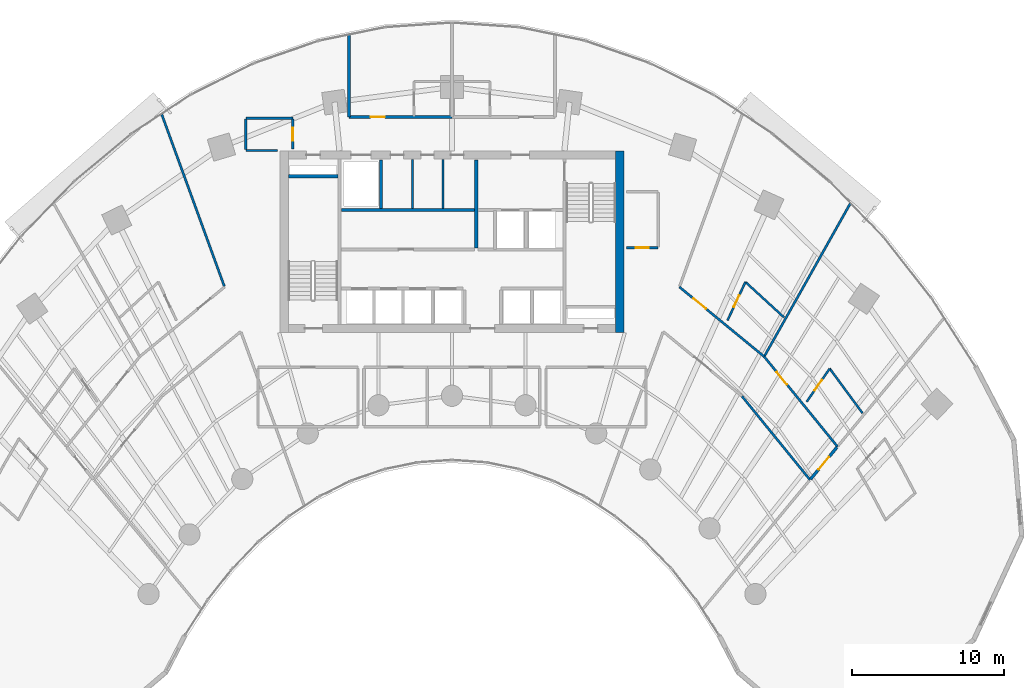
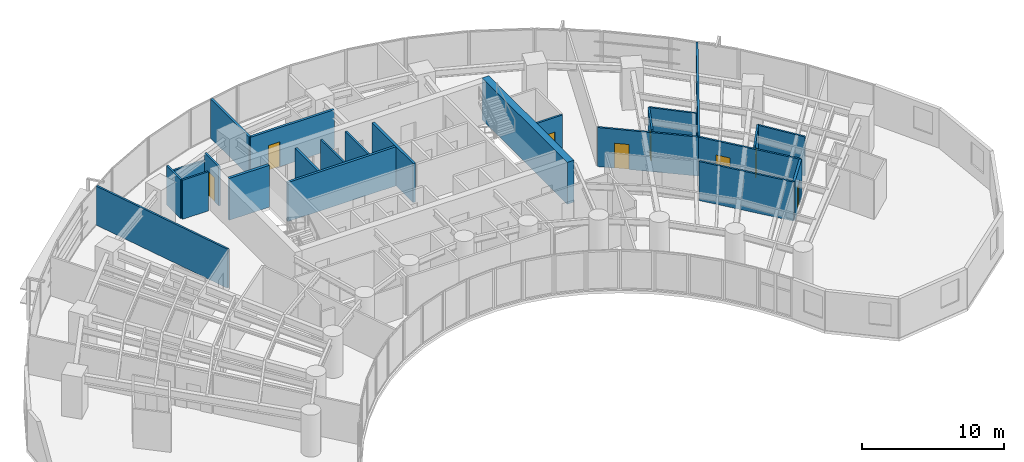
# One storey, part 13 of 17: 24 walls, 8 doors, 8 openings.
"""IFC4 building model written with IfcOpenShell, lengths in metres."""

from ifc_helpers import new_model, si_unit, direction, frame, frame_2d, origin, place, context, subcontext, project, spatial, rectangle, extrude, source, transform, mapped, material, layer, layer_set, type_object, type_shapes, element, fill, save


model = new_model("IFC4")

# Units and contexts
model_context = context("Model", 3, precision=1e-05, world=origin(), true_north=direction((0.0, 1.0)))
body_context = subcontext(model_context, "Body", "Model", "MODEL_VIEW")
ifc_project = project(units=[si_unit("LENGTHUNIT", "METRE"), si_unit("AREAUNIT", "SQUARE_METRE"), si_unit("VOLUMEUNIT", "CUBIC_METRE"), si_unit("PLANEANGLEUNIT", "RADIAN"), si_unit("MASSUNIT", "GRAM", prefix="KILO")], contexts=[model_context])

# Site, building, storey
site_placement = place(None, origin())
site = spatial("IfcSite", under=ifc_project, at=site_placement, CompositionType="ELEMENT")
building_placement = place(site_placement, origin())
building = spatial("IfcBuilding", under=site, at=building_placement, Name="Breltana Convention Tower", CompositionType="ELEMENT")
storey_placement = place(building_placement, frame((0.0, 0.0, 49.800048828125)))
storey = spatial("IfcBuildingStorey", under=building, at=storey_placement, Name="L10", CompositionType="ELEMENT", Elevation=49.800048828125)

# Walls
ifc_material_1 = material(Name="Concrete C60/75", Category="concrete")
ifc_layer_1 = layer(ifc_material_1, 0.550048828125, Name="Concrete C60/75")
ifc_layer_set_1 = layer_set([ifc_layer_1], Name="Concrete C60/75")
wall_type_1 = type_object("IfcWallType", Name="SW-CORE-550", PredefinedType="SHEAR", material=ifc_layer_set_1)
shared_shape_1 = source(origin(), body_context, "Body", "SweptSolid", [
    extrude(rectangle(XDim=12.0, YDim=0.550048828125, at=frame_2d((6.0, 0.0))), origin(), (0.0, 0.0, 1.0), 3.599853515625),
])
wall_1_placement = place(storey_placement, frame((59.074951171875, 60.199951171875, 0.0), z_axis=(0.0, 0.0, 1.0), x_axis=(0.0, 1.0, 0.0)))
element("IfcWall", 1, at=wall_1_placement, inside=storey, type_object=wall_type_1, Name="L10 East Core Shear Wall", PredefinedType="SHEAR", context=body_context, shape_type="MappedRepresentation", body=[
    mapped(shared_shape_1, transform((0.0, 0.0, 0.0), scale=1.0)),
])
ifc_material_2 = material(Name="Concrete C50/60", Category="concrete")
ifc_layer_2 = layer(ifc_material_2, 0.39990234375, Name="Concrete C50/60")
ifc_layer_set_2 = layer_set([ifc_layer_2], Name="Concrete C50/60")
wall_type_2 = type_object("IfcWallType", Name="SW-CORE-400", PredefinedType="SHEAR", material=ifc_layer_set_2)
shared_shape_2 = source(origin(), body_context, "Body", "SweptSolid", [
    extrude(rectangle(XDim=3.27001953125, YDim=0.219970703125, at=frame_2d((1.635009765625, 0.0))), origin(), (0.0, 0.0, 1.0), 3.599853515625),
])
wall_2_placement = place(storey_placement, frame((37.199951171875, 70.510009765625, 0.0), z_axis=(0.0, 0.0, 1.0), x_axis=(1.0, 0.0, 0.0)))
element("IfcWall", 2, at=wall_2_placement, inside=storey, type_object=wall_type_2, Name="L10 ST-1 Stairwell North Bearing Wall", PredefinedType="SHEAR", context=body_context, shape_type="MappedRepresentation", body=[
    mapped(shared_shape_2, transform((0.0, 0.0, 0.0), scale=1.0)),
])
ifc_material_3 = material(Name="Autoclaved Aerated Concrete Block", Category="concrete")
ifc_layer_3 = layer(ifc_material_3, 0.199951171875, Name="Autoclaved Aerated Concrete Block")
ifc_layer_set_3 = layer_set([ifc_layer_3], Name="Autoclaved Aerated Concrete Block")
wall_type_3 = type_object("IfcWallType", Name="WL-SHAFT-200", PredefinedType="SOLIDWALL", material=ifc_layer_set_3)
shared_shape_3 = source(origin(), body_context, "Body", "SweptSolid", [
    extrude(rectangle(XDim=5.800048828125, YDim=0.199951171875, at=frame_2d((2.89990234375, 0.0))), origin(), (0.0, 0.0, 1.0), 3.35986328125),
])
wall_3_placement = place(storey_placement, frame((49.60009765625, 65.800048828125, 0.0), z_axis=(0.0, 0.0, 1.0), x_axis=(0.0, 1.0, 0.0)))
element("IfcWall", 3, at=wall_3_placement, inside=storey, type_object=wall_type_3, Name="L10 interior partition W-L10-FFL-W", PredefinedType="SOLIDWALL", context=body_context, shape_type="MappedRepresentation", body=[
    mapped(shared_shape_3, transform((0.0, 0.0, 0.0), scale=1.0)),
])
shared_shape_4 = source(origin(), body_context, "Body", "SweptSolid", [
    extrude(rectangle(XDim=3.2001953125, YDim=0.199951171875, at=frame_2d((1.60009765625, 0.0))), origin(), (0.0, 0.0, 1.0), 3.35986328125),
])
wall_4_placement = place(storey_placement, frame((43.320068359375, 68.39990234375, 0.0), z_axis=(0.0, 0.0, 1.0), x_axis=(0.0, 1.0, 0.0)))
element("IfcWall", 4, at=wall_4_placement, inside=storey, type_object=wall_type_3, Name="L10 interior partition W-L10-SV-E", PredefinedType="SOLIDWALL", context=body_context, shape_type="MappedRepresentation", body=[
    mapped(shared_shape_4, transform((0.0, 0.0, 0.0), scale=1.0)),
])
shared_shape_5 = source(origin(), body_context, "Body", "SweptSolid", [
    extrude(rectangle(XDim=8.800048828125, YDim=0.199951171875, at=frame_2d((4.39990234375, 0.0))), origin(), (0.0, 0.0, 1.0), 3.35986328125),
])
wall_5_placement = place(storey_placement, frame((40.699951171875, 68.300048828125, 0.0), z_axis=(0.0, 0.0, 1.0), x_axis=(1.0, 0.0, 0.0)))
element("IfcWall", 5, at=wall_5_placement, inside=storey, type_object=wall_type_3, Name="L10 interior partition W-L10-SV-S", PredefinedType="SOLIDWALL", context=body_context, shape_type="MappedRepresentation", body=[
    mapped(shared_shape_5, transform((0.0, 0.0, 0.0), scale=1.0)),
])
ifc_material_4 = material(Name="Gypsum Acoustic Drywall Partition")
ifc_layer_4 = layer(ifc_material_4, 0.14990234375, Name="Gypsum Acoustic Drywall Partition")
ifc_layer_set_4 = layer_set([ifc_layer_4], Name="Gypsum Acoustic Drywall Partition")
wall_type_4 = type_object("IfcWallType", Name="WL-PART-150", PredefinedType="PARTITIONING", material=ifc_layer_set_4)
shared_shape_6 = source(origin(), body_context, "Body", "SweptSolid", [
    extrude(rectangle(XDim=3.22998046875, YDim=0.14990234375, at=frame_2d((1.614990234375, 0.0))), origin(), (0.0, 0.0, 1.0), 3.35986328125),
])
for number, where, z_axis, x_axis, name in (
    (6, (45.39990234375, 68.39990234375, 0.0), (0.0, 0.0, 1.0), (0.0, 1.0, 0.0), "L10 interior partition W-L10-KV-1"),
    (7, (47.39990234375, 68.39990234375, 0.0), (0.0, 0.0, 1.0), (0.0, 1.0, 0.0), "L10 interior partition W-L10-KV-2"),
):
    element("IfcWall", number, at=place(storey_placement, frame(where, z_axis=z_axis, x_axis=x_axis)), inside=storey, type_object=wall_type_4, Name=name, PredefinedType="PARTITIONING", context=body_context, shape_type="MappedRepresentation", body=[
        mapped(shared_shape_6, transform((0.0, 0.0, 0.0), scale=1.0)),
    ])
shared_shape_7 = source(origin(), body_context, "Body", "SweptSolid", [
    extrude(rectangle(XDim=2.10009765625, YDim=0.14990234375, at=frame_2d((1.050048828125, 0.0))), origin(), (0.0, 0.0, 1.0), 3.35986328125),
])
wall_6_placement = place(storey_placement, frame((34.39990234375, 72.219970703125, 0.0), z_axis=(0.0, 0.0, 1.0), x_axis=(1.0, 0.0, 0.0)))
element("IfcWall", 8, at=wall_6_placement, inside=storey, type_object=wall_type_4, Name="L10 interior partition W-L10-CRNE-S", PredefinedType="PARTITIONING", context=body_context, shape_type="MappedRepresentation", body=[
    mapped(shared_shape_7, transform((0.0, 0.0, 0.0), scale=1.0)),
])

# Wall, opening, door
wall_7_placement = place(storey_placement, frame((59.5, 65.800048828125, 0.0), z_axis=(0.0, 0.0, 1.0), x_axis=(1.0, 0.0, 0.0)))
wall_7 = element("IfcWall", 9, at=wall_7_placement, inside=storey, type_object=wall_type_4, Name="L10 interior partition W-L10-CRSE-S", PredefinedType="PARTITIONING", context=body_context, shape_type="MappedRepresentation", body=[
    mapped(shared_shape_7, transform((0.0, 0.0, 0.0), scale=1.0)),
])
opening_1_placement = place(wall_7_placement, frame((0.625, 0.0, 0.0)))
opening_1 = element("IfcOpeningElement", 10, at=opening_1_placement, cuts=wall_7, Name="Opening D-20", PredefinedType="OPENING", context=body_context, shape_type="SweptSolid", body=[
    extrude(rectangle(XDim=0.85009765625, YDim=2.10009765625, at=frame_2d((0.425048828125, 1.050048828125))), frame((0.0, 0.0849609375, 0.0), z_axis=(0.0, -1.0, 0.0), x_axis=(1.0, 0.0, 0.0)), (0.0, 0.0, 1.0), 0.169921875),
])
ifc_material_5 = material(Name="Steel Closet Fire Door", Category="steel")
door_type_1 = type_object("IfcDoorType", Name="DR-FD60-850", OperationType="NOTDEFINED", PredefinedType="DOOR", material=ifc_material_5)
shared_shape_8 = source(origin(), body_context, "Body", "SweptSolid", [
    extrude(rectangle(XDim=0.85009765625, YDim=2.10009765625, at=frame_2d((0.425048828125, 1.050048828125))), frame((0.0, 0.02490234375, 0.0), z_axis=(0.0, -1.0, 0.0), x_axis=(1.0, 0.0, 0.0)), (0.0, 0.0, 1.0), 0.050048828125),
])
type_shapes(door_type_1, [shared_shape_8])
door_1_placement = place(opening_1_placement, origin())
door_1 = element("IfcDoor", 11, at=door_1_placement, inside=storey, type_object=door_type_1, Name="L10 interior door D-L10-CRSE", OperationType="SINGLE_SWING_LEFT", OverallHeight=2.10009765625, OverallWidth=0.85009765625, PredefinedType="DOOR", context=body_context, shape_type="MappedRepresentation", body=[
    mapped(shared_shape_8, transform((0.0, 0.0, 0.0), scale=1.0)),
])
fill(opening_1, door_1)

# Wall
shared_shape_9 = source(origin(), body_context, "Body", "SweptSolid", [
    extrude(rectangle(XDim=1.994873046875, YDim=0.14990234375, at=frame_2d((0.99755859375, 0.0))), origin(), (0.0, 0.0, 1.0), 3.35986328125),
])
wall_8_placement = place(storey_placement, frame((34.39990234375, 72.28759765625, 0.0), z_axis=(0.0, 0.0, 1.0), x_axis=(0.0, 1.0, 0.0)))
element("IfcWall", 12, at=wall_8_placement, inside=storey, type_object=wall_type_4, Name="L10 interior partition W-L10-CRNE-W", PredefinedType="PARTITIONING", context=body_context, shape_type="MappedRepresentation", body=[
    mapped(shared_shape_9, transform((0.0, 0.0, 0.0), scale=1.0)),
])

# Wall, opening, door
shared_shape_10 = source(origin(), body_context, "Body", "SweptSolid", [
    extrude(rectangle(XDim=1.982421875, YDim=0.14990234375, at=frame_2d((0.9912109375, 0.0))), origin(), (0.0, 0.0, 1.0), 3.35986328125),
])
wall_9_placement = place(storey_placement, frame((37.5, 72.300048828125, 0.0), z_axis=(0.0, 0.0, 1.0), x_axis=(0.0, 1.0, 0.0)))
wall_9 = element("IfcWall", 13, at=wall_9_placement, inside=storey, type_object=wall_type_4, Name="L10 interior partition W-L10-CRNE-E", PredefinedType="PARTITIONING", context=body_context, shape_type="MappedRepresentation", body=[
    mapped(shared_shape_10, transform((0.0, 0.0, 0.0), scale=1.0)),
])
opening_2_placement = place(wall_9_placement, frame((0.56640625, 0.0, 0.0)))
opening_2 = element("IfcOpeningElement", 14, at=opening_2_placement, cuts=wall_9, Name="Opening D-20", PredefinedType="OPENING", context=body_context, shape_type="SweptSolid", body=[
    extrude(rectangle(XDim=0.85009765625, YDim=2.10009765625, at=frame_2d((0.425048828125, 1.050048828125))), frame((0.0, 0.0849609375, 0.0), z_axis=(0.0, -1.0, 0.0), x_axis=(1.0, 0.0, 0.0)), (0.0, 0.0, 1.0), 0.169921875),
])
door_2_placement = place(opening_2_placement, origin())
door_2 = element("IfcDoor", 15, at=door_2_placement, inside=storey, type_object=door_type_1, Name="L10 interior door D-L10-CRNE", OperationType="SINGLE_SWING_RIGHT", OverallHeight=2.10009765625, OverallWidth=0.85009765625, PredefinedType="DOOR", context=body_context, shape_type="MappedRepresentation", body=[
    mapped(shared_shape_8, transform((0.0, 0.0, 0.0), scale=1.0)),
])
fill(opening_2, door_2)

ifc_material_6 = material(Name="Gypsum Acoustic Hotel Wall")
ifc_layer_5 = layer(ifc_material_6, 0.195068359375, Name="Gypsum Acoustic Hotel Wall")
ifc_layer_set_5 = layer_set([ifc_layer_5], Name="Gypsum Acoustic Hotel Wall")
wall_type_5 = type_object("IfcWallType", Name="WL-HOTEL-200", PredefinedType="PARTITIONING", material=ifc_layer_set_5)
shared_shape_11 = source(origin(), body_context, "Body", "SweptSolid", [
    extrude(rectangle(XDim=6.800048828125, YDim=0.195068359375, at=frame_2d((3.39990234375, 0.0))), origin(), (0.0, 0.0, 1.0), 3.35986328125),
])
wall_10_placement = place(storey_placement, frame((41.199951171875, 74.419921875, 0.0), z_axis=(0.0, 0.0, 1.0), x_axis=(1.0, 0.0, 0.0)))
wall_10 = element("IfcWall", 16, at=wall_10_placement, inside=storey, type_object=wall_type_5, Name="L10 interior partition W-L10-GRN1-S", PredefinedType="PARTITIONING", context=body_context, shape_type="MappedRepresentation", body=[
    mapped(shared_shape_11, transform((0.0, 0.0, 0.0), scale=1.0)),
])
opening_3_placement = place(wall_10_placement, frame((1.428955078125, 0.0, 0.0)))
opening_3 = element("IfcOpeningElement", 17, at=opening_3_placement, cuts=wall_10, Name="Opening D-14", PredefinedType="OPENING", context=body_context, shape_type="SweptSolid", body=[
    extrude(rectangle(XDim=0.949951171875, YDim=2.14990234375, at=frame_2d((0.47509765625, 1.074951171875))), frame((0.0, 0.107421875, 0.0), z_axis=(0.0, -1.0, 0.0), x_axis=(1.0, 0.0, 0.0)), (0.0, 0.0, 1.0), 0.215087890625),
])
ifc_material_7 = material(Name="Timber Solid-Core Fire Door", Category="wood")
door_type_2 = type_object("IfcDoorType", Name="DR-FD60-950", OperationType="NOTDEFINED", PredefinedType="DOOR", material=ifc_material_7)
shared_shape_12 = source(origin(), body_context, "Body", "SweptSolid", [
    extrude(rectangle(XDim=0.949951171875, YDim=2.14990234375, at=frame_2d((0.47509765625, 1.074951171875))), frame((0.0, 0.02490234375, 0.0), z_axis=(0.0, -1.0, 0.0), x_axis=(1.0, 0.0, 0.0)), (0.0, 0.0, 1.0), 0.050048828125),
])
type_shapes(door_type_2, [shared_shape_12])
door_3_placement = place(opening_3_placement, origin())
door_3 = element("IfcDoor", 18, at=door_3_placement, inside=storey, type_object=door_type_2, Name="L10 interior door D-L10-GRN1", OperationType="SINGLE_SWING_LEFT", OverallHeight=2.14990234375, OverallWidth=0.949951171875, PredefinedType="DOOR", context=body_context, shape_type="MappedRepresentation", body=[
    mapped(shared_shape_12, transform((0.0, 0.0, 0.0), scale=1.0)),
])
fill(opening_3, door_3)

# Wall
shared_shape_13 = source(origin(), body_context, "Body", "SweptSolid", [
    extrude(rectangle(XDim=5.42626953125, YDim=0.195068359375, at=frame_2d((2.713134765625, 0.0))), origin(), (0.0, 0.0, 1.0), 3.35986328125),
])
wall_11_placement = place(storey_placement, frame((41.199951171875, 74.419921875, 0.0), z_axis=(0.0, 0.0, 1.0), x_axis=(0.0, 1.0, 0.0)))
element("IfcWall", 19, at=wall_11_placement, inside=storey, type_object=wall_type_5, Name="L10 interior partition W-L10-GRN1-SD", PredefinedType="PARTITIONING", context=body_context, shape_type="MappedRepresentation", body=[
    mapped(shared_shape_13, transform((0.0, 0.0, 0.0), scale=1.0)),
])

# Wall, opening, door
shared_shape_14 = source(origin(), body_context, "Body", "SweptSolid", [
    extrude(rectangle(XDim=2.748291015625, YDim=0.195068359375, at=frame_2d((1.3740234375, 0.0))), origin(), (0.0, 0.0, 1.0), 3.35986328125),
])
wall_12_placement = place(storey_placement, frame((71.64697265625, 50.531005859375, 0.0), z_axis=(0.0, 0.0, 1.0), x_axis=(0.638111168284, 0.769944242729, 0.0)))
wall_12 = element("IfcWall", 20, at=wall_12_placement, inside=storey, type_object=wall_type_5, Name="L10 interior partition W-L10-CS-E-END", PredefinedType="PARTITIONING", context=body_context, shape_type="MappedRepresentation", body=[
    mapped(shared_shape_14, transform((0.0, 0.0, 0.0), scale=1.0)),
])
opening_4_placement = place(wall_12_placement, frame((0.84912109375, 0.0, 0.0)))
opening_4 = element("IfcOpeningElement", 21, at=opening_4_placement, cuts=wall_12, Name="Opening D-13", PredefinedType="OPENING", context=body_context, shape_type="SweptSolid", body=[
    extrude(rectangle(XDim=1.050048828125, YDim=2.14990234375, at=frame_2d((0.52490234375, 1.074951171875))), frame((0.0, 0.107421875, 0.0), z_axis=(0.0, -1.0, 0.0), x_axis=(1.0, 0.0, 0.0)), (0.0, 0.0, 1.0), 0.215087890625),
])
door_type_3 = type_object("IfcDoorType", Name="DR-FD60-1050", OperationType="NOTDEFINED", PredefinedType="DOOR", material=ifc_material_7)
shared_shape_15 = source(origin(), body_context, "Body", "SweptSolid", [
    extrude(rectangle(XDim=1.050048828125, YDim=2.14990234375, at=frame_2d((0.52490234375, 1.074951171875))), frame((0.0, 0.02490234375, 0.0), z_axis=(0.0, -1.0, 0.0), x_axis=(1.0, 0.0, 0.0)), (0.0, 0.0, 1.0), 0.050048828125),
])
type_shapes(door_type_3, [shared_shape_15])
door_4_placement = place(opening_4_placement, origin())
door_4 = element("IfcDoor", 22, at=door_4_placement, inside=storey, type_object=door_type_3, Name="L10 interior door D-L10-CS-E", OperationType="SINGLE_SWING_LEFT", OverallHeight=2.14990234375, OverallWidth=1.050048828125, PredefinedType="DOOR", context=body_context, shape_type="MappedRepresentation", body=[
    mapped(shared_shape_15, transform((0.0, 0.0, 0.0), scale=1.0)),
])
fill(opening_4, door_4)

# Wall
shared_shape_16 = source(origin(), body_context, "Body", "SweptSolid", [
    extrude(rectangle(XDim=3.10009765625, YDim=0.14990234375, at=frame_2d((1.550048828125, 0.0))), origin(), (0.0, 0.0, 1.0), 2.72900390625),
])
wall_13_placement = place(storey_placement, frame((34.39990234375, 74.35009765625, 0.0), z_axis=(0.0, 0.0, 1.0), x_axis=(1.0, 0.0, 0.0)))
element("IfcWall", 23, at=wall_13_placement, inside=storey, type_object=wall_type_4, Name="L10 interior partition W-L10-CRNE-N", PredefinedType="PARTITIONING", context=body_context, shape_type="MappedRepresentation", body=[
    mapped(shared_shape_16, transform((0.0, 0.0, 0.0), scale=1.0)),
])

# Wall, opening, door
shared_shape_17 = source(origin(), body_context, "Body", "SweptSolid", [
    extrude(rectangle(XDim=7.65869140625, YDim=0.14990234375, at=frame_2d((3.829345703125, 0.0))), origin(), (0.0, 0.0, 1.0), 3.35986328125),
])
wall_14_placement = place(storey_placement, frame((68.593994140625, 58.621337890625, 0.0), z_axis=(0.0, 0.0, 1.0), x_axis=(0.631489868862, -0.775384127723, 0.0)))
wall_14 = element("IfcWall", 24, at=wall_14_placement, inside=storey, type_object=wall_type_4, Name="L10 interior partition W-L10-HS04-COR", PredefinedType="PARTITIONING", context=body_context, shape_type="MappedRepresentation", body=[
    mapped(shared_shape_17, transform((0.0, 0.0, 0.0), scale=1.0)),
])
opening_5_placement = place(wall_14_placement, frame((1.31298828125, 0.0, 0.0)))
opening_5 = element("IfcOpeningElement", 25, at=opening_5_placement, cuts=wall_14, Name="Opening D-13", PredefinedType="OPENING", context=body_context, shape_type="SweptSolid", body=[
    extrude(rectangle(XDim=1.050048828125, YDim=2.14990234375, at=frame_2d((0.52490234375, 1.074951171875))), frame((0.0, 0.0849609375, 0.0), z_axis=(0.0, -1.0, 0.0), x_axis=(1.0, 0.0, 0.0)), (0.0, 0.0, 1.0), 0.169921875),
])
door_5_placement = place(opening_5_placement, origin())
door_5 = element("IfcDoor", 26, at=door_5_placement, inside=storey, type_object=door_type_3, Name="L10 interior door D-L10-HS04", OperationType="SINGLE_SWING_LEFT", OverallHeight=2.14990234375, OverallWidth=1.050048828125, PredefinedType="DOOR", context=body_context, shape_type="MappedRepresentation", body=[
    mapped(shared_shape_15, transform((0.0, 0.0, 0.0), scale=1.0)),
])
fill(opening_5, door_5)

# Walls
shared_shape_18 = source(origin(), body_context, "Body", "SweptSolid", [
    extrude(rectangle(XDim=11.572509765625, YDim=0.14990234375, at=frame_2d((5.7861328125, 0.0))), origin(), (0.0, 0.0, 1.0), 3.35986328125),
])
wall_15_placement = place(storey_placement, frame((68.6181640625, 58.6640625, 0.0), z_axis=(0.0, 0.0, 1.0), x_axis=(0.490161073951, 0.871631872744, 0.0)))
element("IfcWall", 27, at=wall_15_placement, inside=storey, type_object=wall_type_4, Name="L10 interior partition W-L10-HS03-RB", PredefinedType="PARTITIONING", context=body_context, shape_type="MappedRepresentation", body=[
    mapped(shared_shape_18, transform((0.0, 0.0, 0.0), scale=1.0)),
])
ifc_material_8 = material(Name="Moisture-Resistant En-Suite Partition")
ifc_layer_6 = layer(ifc_material_8, 0.139892578125, Name="Moisture-Resistant En-Suite Partition")
ifc_layer_set_6 = layer_set([ifc_layer_6], Name="Moisture-Resistant En-Suite Partition")
wall_type_6 = type_object("IfcWallType", Name="WL-WET-150", PredefinedType="PARTITIONING", material=ifc_layer_set_6)
shared_shape_19 = source(origin(), body_context, "Body", "SweptSolid", [
    extrude(rectangle(XDim=3.656494140625, YDim=0.139892578125, at=frame_2d((1.828125, 0.0))), origin(), (0.0, 0.0, 1.0), 3.35986328125),
])
wall_16_placement = place(storey_placement, frame((72.917724609375, 57.831298828125, 0.0), z_axis=(0.0, 0.0, 1.0), x_axis=(0.592700141555, -0.805423206892, 0.0)))
element("IfcWall", 28, at=wall_16_placement, inside=storey, type_object=wall_type_6, Name="L10 interior partition W-L10-HS04E-BK", PredefinedType="PARTITIONING", context=body_context, shape_type="MappedRepresentation", body=[
    mapped(shared_shape_19, transform((0.0, 0.0, 0.0), scale=1.0)),
])

# Wall, opening, door
shared_shape_20 = source(origin(), body_context, "Body", "SweptSolid", [
    extrude(rectangle(XDim=7.23681640625, YDim=0.14990234375, at=frame_2d((3.618408203125, 0.0))), origin(), (0.0, 0.0, 1.0), 3.35986328125),
])
wall_17_placement = place(storey_placement, frame((63.001220703125, 63.214111328125, 0.0), z_axis=(0.0, 0.0, 1.0), x_axis=(0.772813707793, -0.634632943557, 0.0)))
wall_17 = element("IfcWall", 29, at=wall_17_placement, inside=storey, type_object=wall_type_4, Name="L10 interior partition W-L10-HS03-COR", PredefinedType="PARTITIONING", context=body_context, shape_type="MappedRepresentation", body=[
    mapped(shared_shape_20, transform((0.0, 0.0, 0.0), scale=1.0)),
])
opening_6_placement = place(wall_17_placement, frame((1.2119140625, 0.0, 0.0)))
opening_6 = element("IfcOpeningElement", 30, at=opening_6_placement, cuts=wall_17, Name="Opening D-13", PredefinedType="OPENING", context=body_context, shape_type="SweptSolid", body=[
    extrude(rectangle(XDim=1.050048828125, YDim=2.14990234375, at=frame_2d((0.52490234375, 1.074951171875))), frame((0.0, 0.0849609375, 0.0), z_axis=(0.0, -1.0, 0.0), x_axis=(1.0, 0.0, 0.0)), (0.0, 0.0, 1.0), 0.169921875),
])
door_6_placement = place(opening_6_placement, origin())
door_6 = element("IfcDoor", 31, at=door_6_placement, inside=storey, type_object=door_type_3, Name="L10 interior door D-L10-HS03", OperationType="SINGLE_SWING_LEFT", OverallHeight=2.14990234375, OverallWidth=1.050048828125, PredefinedType="DOOR", context=body_context, shape_type="MappedRepresentation", body=[
    mapped(shared_shape_15, transform((0.0, 0.0, 0.0), scale=1.0)),
])
fill(opening_6, door_6)

# Walls
shared_shape_21 = source(origin(), body_context, "Body", "SweptSolid", [
    extrude(rectangle(XDim=12.088134765625, YDim=0.14990234375, at=frame_2d((6.0439453125, 0.0))), origin(), (0.0, 0.0, 1.0), 3.35986328125),
])
wall_18_placement = place(storey_placement, frame((32.9814453125, 63.26220703125, 0.0), z_axis=(0.0, 0.0, 1.0), x_axis=(-0.34203007529, 0.939689005787, 0.0)))
element("IfcWall", 32, at=wall_18_placement, inside=storey, type_object=wall_type_4, Name="L10 interior partition W-L10-HS02-RB", PredefinedType="PARTITIONING", context=body_context, shape_type="MappedRepresentation", body=[
    mapped(shared_shape_21, transform((0.0, 0.0, 0.0), scale=1.0)),
])
shared_shape_22 = source(origin(), body_context, "Body", "SweptSolid", [
    extrude(rectangle(XDim=3.456298828125, YDim=0.139892578125, at=frame_2d((1.72802734375, 0.0))), origin(), (0.0, 0.0, 1.0), 3.35986328125),
])
wall_19_placement = place(storey_placement, frame((67.357666015625, 63.5439453125, 0.0), z_axis=(0.0, 0.0, 1.0), x_axis=(0.736860870293, -0.676044420013, 0.0)))
element("IfcWall", 33, at=wall_19_placement, inside=storey, type_object=wall_type_6, Name="L10 interior partition W-L10-HS03E-BK", PredefinedType="PARTITIONING", context=body_context, shape_type="MappedRepresentation", body=[
    mapped(shared_shape_22, transform((0.0, 0.0, 0.0), scale=1.0)),
])

# Wall, opening, door
shared_shape_23 = source(origin(), body_context, "Body", "SweptSolid", [
    extrude(rectangle(XDim=2.796142578125, YDim=0.139892578125, at=frame_2d((1.39794921875, 0.0))), origin(), (0.0, 0.0, 1.0), 3.35986328125),
])
wall_20_placement = place(storey_placement, frame((66.1767578125, 61.00927734375, 0.0), z_axis=(0.0, 0.0, 1.0), x_axis=(0.422316594955, 0.906448395456, 0.0)))
wall_20 = element("IfcWall", 34, at=wall_20_placement, inside=storey, type_object=wall_type_6, Name="L10 interior partition W-L10-HS03E-SD", PredefinedType="PARTITIONING", context=body_context, shape_type="MappedRepresentation", body=[
    mapped(shared_shape_23, transform((0.0, 0.0, 0.0), scale=1.0)),
])
opening_7_placement = place(wall_20_placement, frame((0.97314453125, 0.0, 0.0)))
opening_7 = element("IfcOpeningElement", 35, at=opening_7_placement, cuts=wall_20, Name="Opening D-21", PredefinedType="OPENING", context=body_context, shape_type="SweptSolid", body=[
    extrude(rectangle(XDim=0.85009765625, YDim=2.050048828125, at=frame_2d((0.425048828125, 1.02490234375))), frame((0.0, 0.080078125, 0.0), z_axis=(0.0, -1.0, 0.0), x_axis=(1.0, 0.0, 0.0)), (0.0, 0.0, 1.0), 0.159912109375),
])
ifc_material_9 = material(Name="Timber Moisture-Resistant En-Suite Door", Category="wood")
door_type_4 = type_object("IfcDoorType", Name="DR-WET-850", OperationType="NOTDEFINED", PredefinedType="DOOR", material=ifc_material_9)
shared_shape_24 = source(origin(), body_context, "Body", "SweptSolid", [
    extrude(rectangle(XDim=0.85009765625, YDim=2.050048828125, at=frame_2d((0.425048828125, 1.02490234375))), frame((0.0, 0.02490234375, 0.0), z_axis=(0.0, -1.0, 0.0), x_axis=(1.0, 0.0, 0.0)), (0.0, 0.0, 1.0), 0.050048828125),
])
type_shapes(door_type_4, [shared_shape_24])
door_7_placement = place(opening_7_placement, origin())
door_7 = element("IfcDoor", 36, at=door_7_placement, inside=storey, type_object=door_type_4, Name="L10 interior door D-L10-HS03E", OperationType="SINGLE_SWING_RIGHT", OverallHeight=2.050048828125, OverallWidth=0.85009765625, PredefinedType="DOOR", context=body_context, shape_type="MappedRepresentation", body=[
    mapped(shared_shape_24, transform((0.0, 0.0, 0.0), scale=1.0)),
])
fill(opening_7, door_7)

shared_shape_25 = source(origin(), body_context, "Body", "SweptSolid", [
    extrude(rectangle(XDim=2.662841796875, YDim=0.139892578125, at=frame_2d((1.33154296875, 0.0))), origin(), (0.0, 0.0, 1.0), 3.35986328125),
])
wall_21_placement = place(storey_placement, frame((71.3974609375, 55.64501953125, 0.0), z_axis=(0.0, 0.0, 1.0), x_axis=(0.570905989724, 0.821015438891, 0.0)))
wall_21 = element("IfcWall", 37, at=wall_21_placement, inside=storey, type_object=wall_type_6, Name="L10 interior partition W-L10-HS04E-SD", PredefinedType="PARTITIONING", context=body_context, shape_type="MappedRepresentation", body=[
    mapped(shared_shape_25, transform((0.0, 0.0, 0.0), scale=1.0)),
])
opening_8_placement = place(wall_21_placement, frame((0.906494140625, 0.0, 0.0)))
opening_8 = element("IfcOpeningElement", 38, at=opening_8_placement, cuts=wall_21, Name="Opening D-21", PredefinedType="OPENING", context=body_context, shape_type="SweptSolid", body=[
    extrude(rectangle(XDim=0.85009765625, YDim=2.050048828125, at=frame_2d((0.425048828125, 1.02490234375))), frame((0.0, 0.080078125, 0.0), z_axis=(0.0, -1.0, 0.0), x_axis=(1.0, 0.0, 0.0)), (0.0, 0.0, 1.0), 0.159912109375),
])
door_8_placement = place(opening_8_placement, origin())
door_8 = element("IfcDoor", 39, at=door_8_placement, inside=storey, type_object=door_type_4, Name="L10 interior door D-L10-HS04E", OperationType="SINGLE_SWING_RIGHT", OverallHeight=2.050048828125, OverallWidth=0.85009765625, PredefinedType="DOOR", context=body_context, shape_type="MappedRepresentation", body=[
    mapped(shared_shape_24, transform((0.0, 0.0, 0.0), scale=1.0)),
])
fill(opening_8, door_8)

# Wall
shared_shape_26 = source(origin(), body_context, "Body", "SweptSolid", [
    extrude(rectangle(XDim=7.112548828125, YDim=0.14990234375, at=frame_2d((3.55615234375, 0.0))), origin(), (0.0, 0.0, 1.0), 3.35986328125),
])
wall_22_placement = place(storey_placement, frame((67.125732421875, 56.010009765625, 0.0), z_axis=(0.0, 0.0, 1.0), x_axis=(0.63149032532, -0.775383755974, 0.0)))
element("IfcWall", 40, at=wall_22_placement, inside=storey, type_object=wall_type_4, Name="L10 interior partition W-L10-HCF2-COR2", PredefinedType="PARTITIONING", context=body_context, shape_type="MappedRepresentation", body=[
    mapped(shared_shape_26, transform((0.0, 0.0, 0.0), scale=1.0)),
])

save(model, "model.ifc")
